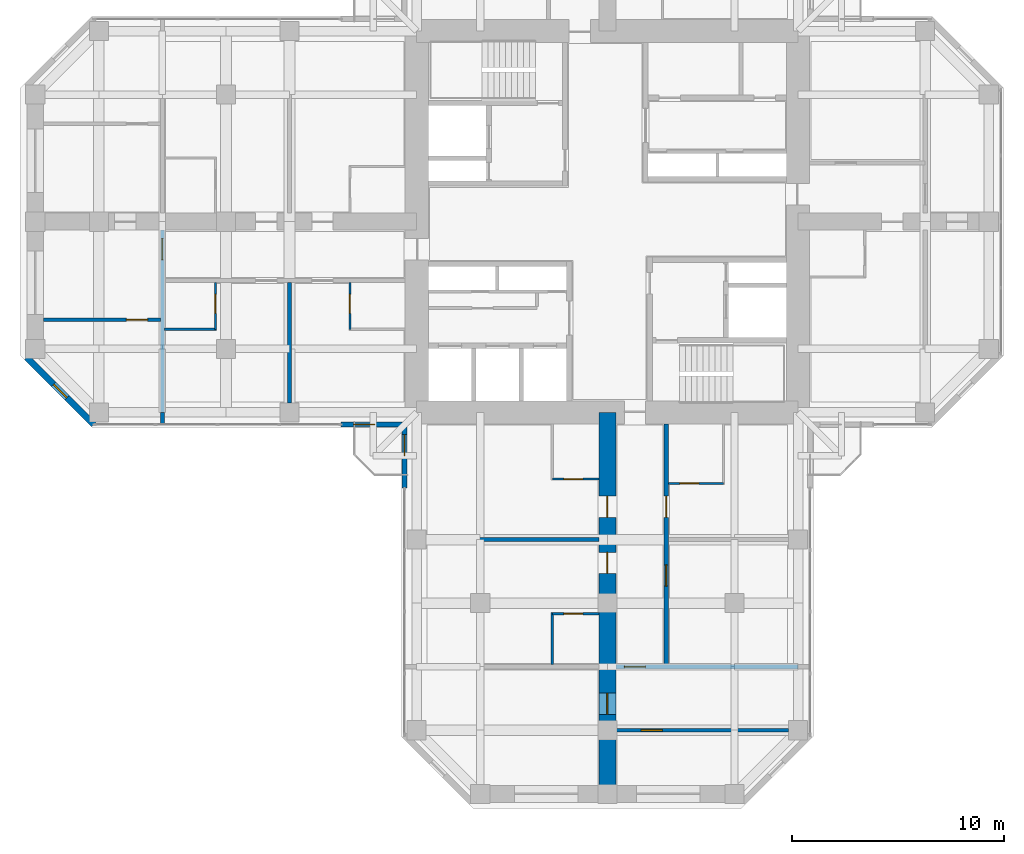
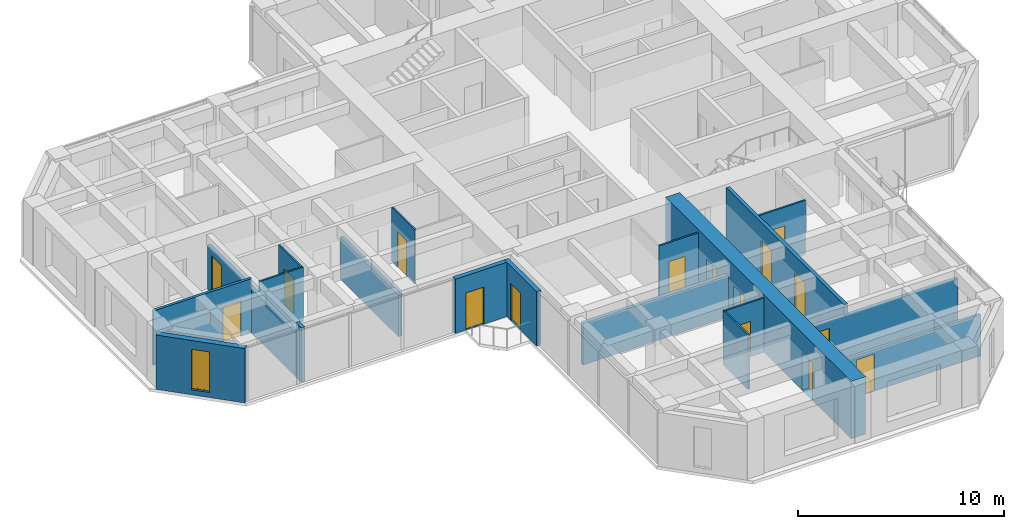
# One storey, part 8 of 13: 19 walls, 16 doors, 1 window, 17 openings.
"""IFC4 building model written with IfcOpenShell, lengths in metres."""

from ifc_helpers import new_model, si_unit, direction, frame, frame_2d, origin, place, context, subcontext, project, spatial, rectangle, hollow_rectangle, extrude, material, layer, layer_set, constituent, constituent_set, type_object, element, fill, save


model = new_model("IFC4")

# Units and contexts
model_context = context("Model", 3, precision=1e-05, world=origin(), true_north=direction((0.0, 1.0)))
body_context = subcontext(model_context, "Body", "Model", "MODEL_VIEW")
ifc_project = project(units=[si_unit("LENGTHUNIT", "METRE"), si_unit("AREAUNIT", "SQUARE_METRE"), si_unit("VOLUMEUNIT", "CUBIC_METRE"), si_unit("PLANEANGLEUNIT", "RADIAN"), si_unit("MASSUNIT", "GRAM", prefix="KILO")], contexts=[model_context])

# Site, building, storey
site_placement = place(None, origin())
site = spatial("IfcSite", under=ifc_project, at=site_placement, CompositionType="ELEMENT")
building_placement = place(site_placement, origin())
building = spatial("IfcBuilding", under=site, at=building_placement, Name="Torre Cruceta", CompositionType="ELEMENT")
storey_placement = place(building_placement, frame((0.0, 0.0, 189.89990234375)))
storey = spatial("IfcBuildingStorey", under=building, at=storey_placement, Name="L47", CompositionType="ELEMENT", Elevation=189.89990234375)

# Wall, opening, door
ifc_material_1 = material(Name="Water-resistant plasterboard on steel studs", Category="steel")
ifc_layer_1 = layer(ifc_material_1, 0.10009765625)
ifc_layer_set_1 = layer_set([ifc_layer_1], Name="Water-resistant plasterboard on steel studs")
wall_type_1 = type_object("IfcWallType", Name="BATHROOM WALL 100", PredefinedType="PARTITIONING", material=ifc_layer_set_1)
wall_1_placement = place(storey_placement, frame((2.875, -12.35009765625, 0.0), z_axis=(0.0, 0.0, 1.0), x_axis=(1.0, 0.0, 0.0)))
wall_1 = element("IfcWall", 1, at=wall_1_placement, inside=storey, type_object=wall_type_1, Name="PT4 L47-S-U1LBS", PredefinedType="PARTITIONING", context=body_context, shape_type="SweptSolid", body=[
    extrude(rectangle(XDim=2.60009765625, YDim=0.10009765625, at=frame_2d((1.300048828125, 0.0))), origin(), (0.0, 0.0, 1.0), 3.22021484375),
])
opening_1_placement = place(wall_1_placement, frame((0.550048828125, 0.0, 0.0)))
opening_1 = element("IfcOpeningElement", 2, at=opening_1_placement, cuts=wall_1, Name="Opening D7", PredefinedType="OPENING", context=body_context, shape_type="SweptSolid", body=[
    extrude(rectangle(XDim=0.89990234375, YDim=2.10009765625, at=frame_2d((0.449951171875, 1.050048828125))), frame((0.0, 0.06005859375, 0.0), z_axis=(0.0, -1.0, 0.0), x_axis=(1.0, 0.0, 0.0)), (0.0, 0.0, 1.0), 0.1201171875),
])
ifc_material_2 = material(Name="Timber door", Category="wood")
door_type_1 = type_object("IfcDoorType", Name="BATHROOM DOOR 900X2100", OperationType="SINGLE_SWING_LEFT", PredefinedType="DOOR", material=ifc_material_2)
door_1_placement = place(opening_1_placement, origin())
door_1 = element("IfcDoor", 3, at=door_1_placement, inside=storey, type_object=door_type_1, Name="D7 L47-S-U1LBS-D1", OperationType="SINGLE_SWING_LEFT", OverallHeight=2.10009765625, OverallWidth=0.89990234375, PredefinedType="DOOR", context=body_context, shape_type="SweptSolid", body=[
    extrude(rectangle(XDim=0.89990234375, YDim=2.10009765625, at=frame_2d((0.449951171875, 1.050048828125))), frame((0.0, 0.02490234375, 0.0), z_axis=(0.0, -1.0, 0.0), x_axis=(1.0, 0.0, 0.0)), (0.0, 0.0, 1.0), 0.050048828125),
])
fill(opening_1, door_1)

wall_2_placement = place(storey_placement, frame((-2.60009765625, -12.14990234375, 0.0), z_axis=(0.0, 0.0, 1.0), x_axis=(1.0, 0.0, 0.0)))
wall_2 = element("IfcWall", 4, at=wall_2_placement, inside=storey, type_object=wall_type_1, Name="PT4 L47-S-U1RBS", PredefinedType="PARTITIONING", context=body_context, shape_type="SweptSolid", body=[
    extrude(rectangle(XDim=2.2001953125, YDim=0.10009765625, at=frame_2d((1.10009765625, 0.0))), origin(), (0.0, 0.0, 1.0), 3.22021484375),
])
opening_2_placement = place(wall_2_placement, frame((0.550048828125, 0.0, 0.0)))
opening_2 = element("IfcOpeningElement", 5, at=opening_2_placement, cuts=wall_2, Name="Opening D7", PredefinedType="OPENING", context=body_context, shape_type="SweptSolid", body=[
    extrude(rectangle(XDim=0.89990234375, YDim=2.10009765625, at=frame_2d((0.449951171875, 1.050048828125))), frame((0.0, 0.06005859375, 0.0), z_axis=(0.0, -1.0, 0.0), x_axis=(1.0, 0.0, 0.0)), (0.0, 0.0, 1.0), 0.1201171875),
])
door_2_placement = place(opening_2_placement, origin())
door_2 = element("IfcDoor", 6, at=door_2_placement, inside=storey, type_object=door_type_1, Name="D7 L47-S-U1RBS-D1", OperationType="SINGLE_SWING_LEFT", OverallHeight=2.10009765625, OverallWidth=0.89990234375, PredefinedType="DOOR", context=body_context, shape_type="SweptSolid", body=[
    extrude(rectangle(XDim=0.89990234375, YDim=2.10009765625, at=frame_2d((0.449951171875, 1.050048828125))), frame((0.0, 0.02490234375, 0.0), z_axis=(0.0, -1.0, 0.0), x_axis=(1.0, 0.0, 0.0)), (0.0, 0.0, 1.0), 0.050048828125),
])
fill(opening_2, door_2)

# Wall
wall_3_placement = place(storey_placement, frame((-2.60009765625, -18.449951171875, 0.0), z_axis=(0.0, 0.0, 1.0), x_axis=(0.0, -1.0, 0.0)))
element("IfcWall", 7, at=wall_3_placement, inside=storey, type_object=wall_type_1, Name="PT4 L47-S-U2RBB", PredefinedType="PARTITIONING", context=body_context, shape_type="SweptSolid", body=[
    extrude(rectangle(XDim=2.449951171875, YDim=0.10009765625, at=frame_2d((1.22509765625, 0.0))), origin(), (0.0, 0.0, 1.0), 3.22021484375),
])

# Wall, opening, door
wall_4_placement = place(storey_placement, frame((-2.60009765625, -18.5, 0.0), z_axis=(0.0, 0.0, 1.0), x_axis=(1.0, 0.0, 0.0)))
wall_4 = element("IfcWall", 8, at=wall_4_placement, inside=storey, type_object=wall_type_1, Name="PT4 L47-S-U2RBS", PredefinedType="PARTITIONING", context=body_context, shape_type="SweptSolid", body=[
    extrude(rectangle(XDim=2.2001953125, YDim=0.10009765625, at=frame_2d((1.10009765625, 0.0))), origin(), (0.0, 0.0, 1.0), 3.22021484375),
])
opening_3_placement = place(wall_4_placement, frame((0.550048828125, 0.0, 0.0)))
opening_3 = element("IfcOpeningElement", 9, at=opening_3_placement, cuts=wall_4, Name="Opening D7", PredefinedType="OPENING", context=body_context, shape_type="SweptSolid", body=[
    extrude(rectangle(XDim=0.89990234375, YDim=2.10009765625, at=frame_2d((0.449951171875, 1.050048828125))), frame((0.0, 0.06005859375, 0.0), z_axis=(0.0, -1.0, 0.0), x_axis=(1.0, 0.0, 0.0)), (0.0, 0.0, 1.0), 0.1201171875),
])
door_3_placement = place(opening_3_placement, frame((0.89990234375, 0.0, 0.0), z_axis=(0.0, 0.0, 1.0), x_axis=(-1.0, 0.0, 0.0)))
door_3 = element("IfcDoor", 10, at=door_3_placement, inside=storey, type_object=door_type_1, Name="D7 L47-S-U2RBS-D1", OperationType="SINGLE_SWING_RIGHT", OverallHeight=2.10009765625, OverallWidth=0.89990234375, PredefinedType="DOOR", context=body_context, shape_type="SweptSolid", body=[
    extrude(rectangle(XDim=0.89990234375, YDim=2.10009765625, at=frame_2d((0.449951171875, 1.050048828125))), frame((0.0, 0.025146484375, 0.0), z_axis=(0.0, -1.0, 0.0), x_axis=(1.0, 0.0, 0.0)), (0.0, 0.0, 1.0), 0.050048828125),
])
fill(opening_3, door_3)

wall_5_placement = place(storey_placement, frame((-12.14990234375, -2.875, 0.0), z_axis=(0.0, 0.0, 1.0), x_axis=(0.0, -1.0, 0.0)))
wall_5 = element("IfcWall", 11, at=wall_5_placement, inside=storey, type_object=wall_type_1, Name="PT4 L47-W-U1LBS", PredefinedType="PARTITIONING", context=body_context, shape_type="SweptSolid", body=[
    extrude(rectangle(XDim=2.199951171875, YDim=0.10009765625, at=frame_2d((1.10009765625, 0.0))), origin(), (0.0, 0.0, 1.0), 3.22021484375),
])
opening_4_placement = place(wall_5_placement, frame((0.550048828125, 0.0, 0.0)))
opening_4 = element("IfcOpeningElement", 12, at=opening_4_placement, cuts=wall_5, Name="Opening D7", PredefinedType="OPENING", context=body_context, shape_type="SweptSolid", body=[
    extrude(rectangle(XDim=0.89990234375, YDim=2.10009765625, at=frame_2d((0.449951171875, 1.050048828125))), frame((0.0, 0.06005859375, 0.0), z_axis=(0.0, -1.0, 0.0), x_axis=(1.0, 0.0, 0.0)), (0.0, 0.0, 1.0), 0.1201171875),
])
door_4_placement = place(opening_4_placement, origin())
door_4 = element("IfcDoor", 13, at=door_4_placement, inside=storey, type_object=door_type_1, Name="D7 L47-W-U1LBS-D1", OperationType="SINGLE_SWING_LEFT", OverallHeight=2.10009765625, OverallWidth=0.89990234375, PredefinedType="DOOR", context=body_context, shape_type="SweptSolid", body=[
    extrude(rectangle(XDim=0.89990234375, YDim=2.10009765625, at=frame_2d((0.449951171875, 1.050048828125))), frame((0.0, 0.02490234375, 0.0), z_axis=(0.0, -1.0, 0.0), x_axis=(1.0, 0.0, 0.0)), (0.0, 0.0, 1.0), 0.050048828125),
])
fill(opening_4, door_4)

# Wall
wall_6_placement = place(storey_placement, frame((-18.449951171875, -5.074951171875, 0.0), z_axis=(0.0, 0.0, 1.0), x_axis=(-1.0, 0.0, 0.0)))
element("IfcWall", 14, at=wall_6_placement, inside=storey, type_object=wall_type_1, Name="PT4 L47-W-U2LBB", PredefinedType="PARTITIONING", context=body_context, shape_type="SweptSolid", body=[
    extrude(rectangle(XDim=2.449951171875, YDim=0.10009765625, at=frame_2d((1.22509765625, 0.0))), origin(), (0.0, 0.0, 1.0), 3.22021484375),
])

# Wall, opening, door
wall_7_placement = place(storey_placement, frame((-18.5, -2.875, 0.0), z_axis=(0.0, 0.0, 1.0), x_axis=(0.0, -1.0, 0.0)))
wall_7 = element("IfcWall", 15, at=wall_7_placement, inside=storey, type_object=wall_type_1, Name="PT4 L47-W-U2LBS", PredefinedType="PARTITIONING", context=body_context, shape_type="SweptSolid", body=[
    extrude(rectangle(XDim=2.199951171875, YDim=0.10009765625, at=frame_2d((1.10009765625, 0.0))), origin(), (0.0, 0.0, 1.0), 3.22021484375),
])
opening_5_placement = place(wall_7_placement, frame((0.550048828125, 0.0, 0.0)))
opening_5 = element("IfcOpeningElement", 16, at=opening_5_placement, cuts=wall_7, Name="Opening D7", PredefinedType="OPENING", context=body_context, shape_type="SweptSolid", body=[
    extrude(rectangle(XDim=0.89990234375, YDim=2.10009765625, at=frame_2d((0.449951171875, 1.050048828125))), frame((0.0, 0.06005859375, 0.0), z_axis=(0.0, -1.0, 0.0), x_axis=(1.0, 0.0, 0.0)), (0.0, 0.0, 1.0), 0.1201171875),
])
door_5_placement = place(opening_5_placement, frame((0.89990234375, 0.0, 0.0), z_axis=(0.0, 0.0, 1.0), x_axis=(-1.0, 0.0, 0.0)))
door_5 = element("IfcDoor", 17, at=door_5_placement, inside=storey, type_object=door_type_1, Name="D7 L47-W-U2LBS-D1", OperationType="SINGLE_SWING_RIGHT", OverallHeight=2.10009765625, OverallWidth=0.89990234375, PredefinedType="DOOR", context=body_context, shape_type="SweptSolid", body=[
    extrude(rectangle(XDim=0.89990234375, YDim=2.10009765625, at=frame_2d((0.449951171875, 1.050048828125))), frame((0.0, 0.025146484375, 0.0), z_axis=(0.0, -1.0, 0.0), x_axis=(1.0, 0.0, 0.0)), (0.0, 0.0, 1.0), 0.050048828125),
])
fill(opening_5, door_5)

# Wall, openings, doors
ifc_material_3 = material(Name="Concrete G25 (fck 25 MPa)", Category="concrete")
ifc_layer_2 = layer(ifc_material_3, 0.199951171875)
ifc_layer_set_2 = layer_set([ifc_layer_2], Name="Concrete G25 (fck 25 MPa)")
wall_type_2 = type_object("IfcWallType", Name="CORRIDOR WALL 200", PredefinedType="SOLIDWALL", material=ifc_layer_set_2)
wall_8_placement = place(storey_placement, frame((2.77490234375, -9.550048828125, 0.0), z_axis=(0.0, 0.0, 1.0), x_axis=(0.0, -1.0, 0.0)))
wall_8 = element("IfcWall", 18, at=wall_8_placement, inside=storey, type_object=wall_type_2, Name="PT3 L47-S-CL", PredefinedType="SOLIDWALL", context=body_context, shape_type="SweptSolid", body=[
    extrude(rectangle(XDim=11.449951171875, YDim=0.199951171875, at=frame_2d((5.72509765625, 0.0))), origin(), (0.0, 0.0, 1.0), 3.22021484375),
])
opening_6_placement = place(wall_8_placement, frame((3.39990234375, 0.0, 0.0)))
opening_6 = element("IfcOpeningElement", 19, at=opening_6_placement, cuts=wall_8, Name="Opening D6", PredefinedType="OPENING", context=body_context, shape_type="SweptSolid", body=[
    extrude(rectangle(XDim=1.0, YDim=2.14990234375, at=frame_2d((0.5, 1.074951171875))), frame((0.0, 0.10986328125, 0.0), z_axis=(0.0, -1.0, 0.0), x_axis=(1.0, 0.0, 0.0)), (0.0, 0.0, 1.0), 0.219970703125),
])
opening_7_placement = place(wall_8_placement, frame((6.64990234375, 0.0, 0.0)))
opening_7 = element("IfcOpeningElement", 20, at=opening_7_placement, cuts=wall_8, Name="Opening D14", PredefinedType="OPENING", context=body_context, shape_type="SweptSolid", body=[
    extrude(rectangle(XDim=1.0, YDim=2.199951171875, at=frame_2d((0.5, 1.10009765625))), frame((0.0, 0.10986328125, 0.0), z_axis=(0.0, -1.0, 0.0), x_axis=(1.0, 0.0, 0.0)), (0.0, 0.0, 1.0), 0.219970703125),
])
ifc_material_4 = material(Name="Steel DX51D", Category="steel")
ifc_constituent_1 = constituent(ifc_material_4, Name="Leaf and frame")
ifc_material_5 = material(Name="Polyester powder coating", Category="paint")
ifc_constituent_2 = constituent(ifc_material_5, Name="Finish")
ifc_material_6 = material(Name="Fire-resisting glass", Category="glass")
ifc_constituent_3 = constituent(ifc_material_6, Name="Vision panel")
ifc_constituent_set_1 = constituent_set(constituents=[ifc_constituent_1, ifc_constituent_2, ifc_constituent_3], Name="Steel fire door with vision panel")
door_type_2 = type_object("IfcDoorType", Name="FIRE DOOR VISION PANEL 1000X2200", OperationType="SINGLE_SWING_RIGHT", PredefinedType="DOOR", material=ifc_constituent_set_1)
door_6_placement = place(opening_7_placement, origin())
door_6 = element("IfcDoor", 21, at=door_6_placement, inside=storey, type_object=door_type_2, Name="D14 L47-S-CL-D2", OperationType="SINGLE_SWING_LEFT", OverallHeight=2.199951171875, OverallWidth=1.0, PredefinedType="DOOR", context=body_context, shape_type="SweptSolid", body=[
    extrude(rectangle(XDim=1.0, YDim=2.199951171875, at=frame_2d((0.5, 1.10009765625))), frame((0.0, 0.02490234375, 0.0), z_axis=(0.0, -1.0, 0.0), x_axis=(1.0, 0.0, 0.0)), (0.0, 0.0, 1.0), 0.050048828125),
])
fill(opening_7, door_6)
ifc_material_7 = material(Name="Timber fire door", Category="wood")
door_type_3 = type_object("IfcDoorType", Name="UNIT ENTRANCE DOOR 1000X2150", OperationType="SINGLE_SWING_LEFT", PredefinedType="DOOR", material=ifc_material_7)
door_7_placement = place(opening_6_placement, origin())
door_7 = element("IfcDoor", 22, at=door_7_placement, inside=storey, type_object=door_type_3, Name="D6 L47-S-CL-D1", OperationType="SINGLE_SWING_LEFT", OverallHeight=2.14990234375, OverallWidth=1.0, PredefinedType="DOOR", context=body_context, shape_type="SweptSolid", body=[
    extrude(rectangle(XDim=1.0, YDim=2.14990234375, at=frame_2d((0.5, 1.074951171875))), frame((0.0, 0.02490234375, 0.0), z_axis=(0.0, -1.0, 0.0), x_axis=(1.0, 0.0, 0.0)), (0.0, 0.0, 1.0), 0.050048828125),
])
fill(opening_6, door_7)

# Wall, opening, window
ifc_material_8 = material(Name="Concrete G30 (fck 30 MPa)", Category="concrete")
ifc_layer_3 = layer(ifc_material_8, 0.300048828125)
ifc_layer_set_3 = layer_set([ifc_layer_3], Name="Concrete G30 (fck 30 MPa)")
wall_type_3 = type_object("IfcWallType", Name="EXPOSED CONCRETE FACADE WALL 300", PredefinedType="SOLIDWALL", material=ifc_layer_set_3)
wall_9_placement = place(storey_placement, frame((-27.39990234375, -6.406005859375, 0.0), z_axis=(0.0, 0.0, 1.0), x_axis=(0.707079499254, -0.707134062067, 0.0)))
wall_9 = element("IfcWall", 23, at=wall_9_placement, inside=storey, type_object=wall_type_3, Name="EW1 facade wall L47 W chamfer 13", PredefinedType="SOLIDWALL", context=body_context, shape_type="SweptSolid", body=[
    extrude(rectangle(XDim=4.474609375, YDim=0.300048828125, at=frame_2d((2.2373046875, 0.0))), origin(), (0.0, 0.0, 1.0), 3.22021484375),
])
opening_8_placement = place(wall_9_placement, frame((1.787109375, 0.0, 0.300048828125)))
opening_8 = element("IfcOpeningElement", 24, at=opening_8_placement, cuts=wall_9, Name="Opening WN5", PredefinedType="OPENING", context=body_context, shape_type="SweptSolid", body=[
    extrude(rectangle(XDim=0.89990234375, YDim=2.39990234375, at=frame_2d((0.449951171875, 1.199951171875))), frame((0.0, 0.159912109375, 0.0), z_axis=(0.0, -1.0, 0.0), x_axis=(1.0, 0.0, 0.0)), (0.0, 0.0, 1.0), 0.320068359375),
])
ifc_material_9 = material(Name="Aluminium window frame", Category="aluminium")
ifc_constituent_4 = constituent(ifc_material_9, Name="Frame")
ifc_material_10 = material(Name="Laminated insulating glass unit, low-iron clear", Category="glass")
ifc_constituent_5 = constituent(ifc_material_10, Name="Glazing")
ifc_constituent_set_2 = constituent_set(constituents=[ifc_constituent_4, ifc_constituent_5], Name="Aluminium window")
window_type = type_object("IfcWindowType", Name="CHAMFER SLOT WINDOW 900X2400", PartitioningType="SINGLE_PANEL", PredefinedType="WINDOW", material=ifc_constituent_set_2)
window_placement = place(opening_8_placement, origin())
window = element("IfcWindow", 25, at=window_placement, inside=storey, type_object=window_type, Name="WN5 L47 W 1", OverallHeight=2.39990234375, OverallWidth=0.89990234375, PartitioningType="SINGLE_PANEL", PredefinedType="WINDOW", context=body_context, shape_type="SweptSolid", body=[
    extrude(hollow_rectangle(XDim=0.89990234375, YDim=2.39990234375, WallThickness=0.06005859375, at=frame_2d((0.449951171875, 1.199951171875))), frame((0.0, 0.030029296875, 0.0), z_axis=(0.0, -1.0, 0.0), x_axis=(1.0, 0.0, 0.0)), (0.0, 0.0, 1.0), 0.06005859375),
    extrude(rectangle(XDim=0.77880859375, YDim=2.27880859375, at=frame_2d((0.449951171875, 1.199951171875))), frame((0.0, 0.030029296875, 0.0), z_axis=(0.0, -1.0, 0.0), x_axis=(1.0, 0.0, 0.0)), (0.0, 0.0, 1.0), 0.06005859375),
])
fill(opening_8, window)

# Wall, opening, door
ifc_material_11 = material(Name="Plasterboard on steel studs", Category="steel")
ifc_layer_4 = layer(ifc_material_11, 0.14990234375)
ifc_layer_set_4 = layer_set([ifc_layer_4], Name="Plasterboard on steel studs")
wall_type_4 = type_object("IfcWallType", Name="PARTITION 150", PredefinedType="PARTITIONING", material=ifc_layer_set_4)
wall_10_placement = place(storey_placement, frame((0.39990234375, -24.0, 0.0), z_axis=(0.0, 0.0, 1.0), x_axis=(1.0, 0.0, 0.0)))
wall_10 = element("IfcWall", 26, at=wall_10_placement, inside=storey, type_object=wall_type_4, Name="PT1 L47-S-ENDX", PredefinedType="PARTITIONING", context=body_context, shape_type="SweptSolid", body=[
    extrude(rectangle(XDim=8.150146484375, YDim=0.14990234375, at=frame_2d((4.0751953125, 0.0))), origin(), (0.0, 0.0, 1.0), 2.47021484375),
])
opening_9_placement = place(wall_10_placement, frame((1.199951171875, 0.0, 0.0)))
opening_9 = element("IfcOpeningElement", 27, at=opening_9_placement, cuts=wall_10, Name="Opening D14", PredefinedType="OPENING", context=body_context, shape_type="SweptSolid", body=[
    extrude(rectangle(XDim=1.0, YDim=2.199951171875, at=frame_2d((0.5, 1.10009765625))), frame((0.0, 0.0849609375, 0.0), z_axis=(0.0, -1.0, 0.0), x_axis=(1.0, 0.0, 0.0)), (0.0, 0.0, 1.0), 0.169921875),
])
door_8_placement = place(opening_9_placement, frame((1.0, 0.0, 0.0), z_axis=(0.0, 0.0, 1.0), x_axis=(-1.0, 0.0, 0.0)))
door_8 = element("IfcDoor", 28, at=door_8_placement, inside=storey, type_object=door_type_2, Name="D14 L47-S-ENDX-D1", OperationType="SINGLE_SWING_RIGHT", OverallHeight=2.199951171875, OverallWidth=1.0, PredefinedType="DOOR", context=body_context, shape_type="SweptSolid", body=[
    extrude(rectangle(XDim=1.0, YDim=2.199951171875, at=frame_2d((0.5, 1.10009765625))), frame((0.0, 0.025146484375, 0.0), z_axis=(0.0, -1.0, 0.0), x_axis=(1.0, 0.0, 0.0)), (0.0, 0.0, 1.0), 0.050048828125),
])
fill(opening_9, door_8)

wall_11_placement = place(storey_placement, frame((-21.10009765625, -4.625, 0.0), z_axis=(0.0, 0.0, 1.0), x_axis=(-1.0, 0.0, 0.0)))
wall_11 = element("IfcWall", 29, at=wall_11_placement, inside=storey, type_object=wall_type_4, Name="PT1 L47-W-ENDX", PredefinedType="PARTITIONING", context=body_context, shape_type="SweptSolid", body=[
    extrude(rectangle(XDim=5.5, YDim=0.14990234375, at=frame_2d((2.75, 0.0))), origin(), (0.0, 0.0, 1.0), 3.22021484375),
])
opening_10_placement = place(wall_11_placement, frame((0.60009765625, 0.0, 0.0)))
opening_10 = element("IfcOpeningElement", 30, at=opening_10_placement, cuts=wall_11, Name="Opening D3", PredefinedType="OPENING", context=body_context, shape_type="SweptSolid", body=[
    extrude(rectangle(XDim=1.0, YDim=2.10009765625, at=frame_2d((0.5, 1.050048828125))), frame((0.0, 0.0849609375, 0.0), z_axis=(0.0, -1.0, 0.0), x_axis=(1.0, 0.0, 0.0)), (0.0, 0.0, 1.0), 0.169921875),
])
ifc_material_12 = material(Name="Steel DX51D", Category="steel")
ifc_constituent_6 = constituent(ifc_material_12, Name="Leaf and frame")
ifc_material_13 = material(Name="Polyester powder coating", Category="paint")
ifc_constituent_7 = constituent(ifc_material_13, Name="Finish")
ifc_constituent_set_3 = constituent_set(constituents=[ifc_constituent_6, ifc_constituent_7], Name="Steel fire door")
door_type_4 = type_object("IfcDoorType", Name="FIRE DOOR 1000X2100", OperationType="SINGLE_SWING_LEFT", PredefinedType="DOOR", material=ifc_constituent_set_3)
door_9_placement = place(opening_10_placement, origin())
door_9 = element("IfcDoor", 31, at=door_9_placement, inside=storey, type_object=door_type_4, Name="D3 L47-W-ENDX-D1", OperationType="SINGLE_SWING_LEFT", OverallHeight=2.10009765625, OverallWidth=1.0, PredefinedType="DOOR", context=body_context, shape_type="SweptSolid", body=[
    extrude(rectangle(XDim=1.0, YDim=2.10009765625, at=frame_2d((0.5, 1.050048828125))), frame((0.0, 0.02490234375, 0.0), z_axis=(0.0, -1.0, 0.0), x_axis=(1.0, 0.0, 0.0)), (0.0, 0.0, 1.0), 0.050048828125),
])
fill(opening_10, door_9)

# Wall, openings, doors
ifc_material_14 = material(Name="Concrete G60 (fck 60 MPa)", Category="concrete")
ifc_layer_5 = layer(ifc_material_14, 0.800048828125)
ifc_layer_set_5 = layer_set([ifc_layer_5], Name="Concrete G60 (fck 60 MPa)")
wall_type_5 = type_object("IfcWallType", Name="SPINE WALL 800 G60", PredefinedType="SHEAR", material=ifc_layer_set_5)
wall_12_placement = place(storey_placement, frame((0.0, -9.0, 0.0), z_axis=(0.0, 0.0, 1.0), x_axis=(0.0, -1.0, 0.0)))
wall_12 = element("IfcWall", 32, at=wall_12_placement, inside=storey, type_object=wall_type_5, Name="SW4 spine wall L47 S", PredefinedType="SHEAR", context=body_context, shape_type="SweptSolid", body=[
    extrude(rectangle(XDim=18.0, YDim=0.800048828125, at=frame_2d((9.0, 0.0))), origin(), (0.0, 0.0, 1.0), 3.400146484375),
])
opening_11_placement = place(wall_12_placement, frame((3.949951171875, 0.0, 0.0)))
opening_11 = element("IfcOpeningElement", 33, at=opening_11_placement, cuts=wall_12, Name="Opening D6", PredefinedType="OPENING", context=body_context, shape_type="SweptSolid", body=[
    extrude(rectangle(XDim=1.0, YDim=2.14990234375, at=frame_2d((0.5, 1.074951171875))), frame((0.0, 0.409912109375, 0.0), z_axis=(0.0, -1.0, 0.0), x_axis=(1.0, 0.0, 0.0)), (0.0, 0.0, 1.0), 0.820068359375),
])
opening_12_placement = place(wall_12_placement, frame((6.60009765625, 0.0, 0.0)))
opening_12 = element("IfcOpeningElement", 34, at=opening_12_placement, cuts=wall_12, Name="Opening D6", PredefinedType="OPENING", context=body_context, shape_type="SweptSolid", body=[
    extrude(rectangle(XDim=1.0, YDim=2.14990234375, at=frame_2d((0.5, 1.074951171875))), frame((0.0, 0.409912109375, 0.0), z_axis=(0.0, -1.0, 0.0), x_axis=(1.0, 0.0, 0.0)), (0.0, 0.0, 1.0), 0.820068359375),
])
opening_13_placement = place(wall_12_placement, frame((13.25, 0.0, 0.0)))
opening_13 = element("IfcOpeningElement", 35, at=opening_13_placement, cuts=wall_12, Name="Opening D14", PredefinedType="OPENING", context=body_context, shape_type="SweptSolid", body=[
    extrude(rectangle(XDim=1.0, YDim=2.199951171875, at=frame_2d((0.5, 1.10009765625))), frame((0.0, 0.409912109375, 0.0), z_axis=(0.0, -1.0, 0.0), x_axis=(1.0, 0.0, 0.0)), (0.0, 0.0, 1.0), 0.820068359375),
])
door_10_placement = place(opening_13_placement, origin())
door_10 = element("IfcDoor", 36, at=door_10_placement, inside=storey, type_object=door_type_2, Name="D14 L47-S-SP3", OperationType="SINGLE_SWING_RIGHT", OverallHeight=2.199951171875, OverallWidth=1.0, PredefinedType="DOOR", context=body_context, shape_type="SweptSolid", body=[
    extrude(rectangle(XDim=1.0, YDim=2.199951171875, at=frame_2d((0.5, 1.10009765625))), frame((0.0, 0.02490234375, 0.0), z_axis=(0.0, -1.0, 0.0), x_axis=(1.0, 0.0, 0.0)), (0.0, 0.0, 1.0), 0.050048828125),
])
fill(opening_13, door_10)
door_11_placement = place(opening_11_placement, frame((1.0, 0.0, 0.0), z_axis=(0.0, 0.0, 1.0), x_axis=(-1.0, 0.0, 0.0)))
door_11 = element("IfcDoor", 37, at=door_11_placement, inside=storey, type_object=door_type_3, Name="D6 L47-S-SP1", OperationType="SINGLE_SWING_RIGHT", OverallHeight=2.14990234375, OverallWidth=1.0, PredefinedType="DOOR", context=body_context, shape_type="SweptSolid", body=[
    extrude(rectangle(XDim=1.0, YDim=2.14990234375, at=frame_2d((0.5, 1.074951171875))), frame((0.0, 0.025146484375, 0.0), z_axis=(0.0, -1.0, 0.0), x_axis=(1.0, 0.0, 0.0)), (0.0, 0.0, 1.0), 0.050048828125),
])
fill(opening_11, door_11)
door_12_placement = place(opening_12_placement, frame((1.0, 0.0, 0.0), z_axis=(0.0, 0.0, 1.0), x_axis=(-1.0, 0.0, 0.0)))
door_12 = element("IfcDoor", 38, at=door_12_placement, inside=storey, type_object=door_type_3, Name="D6 L47-S-SP2", OperationType="SINGLE_SWING_RIGHT", OverallHeight=2.14990234375, OverallWidth=1.0, PredefinedType="DOOR", context=body_context, shape_type="SweptSolid", body=[
    extrude(rectangle(XDim=1.0, YDim=2.14990234375, at=frame_2d((0.5, 1.074951171875))), frame((0.0, 0.025146484375, 0.0), z_axis=(0.0, -1.0, 0.0), x_axis=(1.0, 0.0, 0.0)), (0.0, 0.0, 1.0), 0.050048828125),
])
fill(opening_12, door_12)

# Wall
ifc_material_15 = material(Name="Concrete G25 (fck 25 MPa)", Category="concrete")
ifc_layer_6 = layer(ifc_material_15, 0.199951171875)
ifc_layer_set_6 = layer_set([ifc_layer_6], Name="Concrete G25 (fck 25 MPa)")
wall_type_6 = type_object("IfcWallType", Name="UNIT SEPARATING WALL 200", PredefinedType="SOLIDWALL", material=ifc_layer_set_6)
wall_13_placement = place(storey_placement, frame((-8.550048828125, -15.0, 0.0), z_axis=(0.0, 0.0, 1.0), x_axis=(1.0, 0.0, 0.0)))
element("IfcWall", 39, at=wall_13_placement, inside=storey, type_object=wall_type_6, Name="PT2 L47-S-P1R", PredefinedType="SOLIDWALL", context=body_context, shape_type="SweptSolid", body=[
    extrude(rectangle(XDim=8.150146484375, YDim=0.199951171875, at=frame_2d((4.0751953125, 0.0))), origin(), (0.0, 0.0, 1.0), 2.47021484375),
])

# Wall, opening, door
wall_14_placement = place(storey_placement, frame((0.39990234375, -21.0, 0.0), z_axis=(0.0, 0.0, 1.0), x_axis=(1.0, 0.0, 0.0)))
wall_14 = element("IfcWall", 40, at=wall_14_placement, inside=storey, type_object=wall_type_6, Name="PT2 L47-S-ENDb", PredefinedType="SOLIDWALL", context=body_context, shape_type="SweptSolid", body=[
    extrude(rectangle(XDim=8.60009765625, YDim=0.199951171875, at=frame_2d((4.300048828125, 0.0))), origin(), (0.0, 0.0, 1.0), 2.6201171875),
])
opening_14_placement = place(wall_14_placement, frame((0.39990234375, 0.0, 0.0)))
opening_14 = element("IfcOpeningElement", 41, at=opening_14_placement, cuts=wall_14, Name="Opening D14", PredefinedType="OPENING", context=body_context, shape_type="SweptSolid", body=[
    extrude(rectangle(XDim=1.0, YDim=2.199951171875, at=frame_2d((0.5, 1.10009765625))), frame((0.0, 0.10986328125, 0.0), z_axis=(0.0, -1.0, 0.0), x_axis=(1.0, 0.0, 0.0)), (0.0, 0.0, 1.0), 0.219970703125),
])
door_13_placement = place(opening_14_placement, frame((1.0, 0.0, 0.0), z_axis=(0.0, 0.0, 1.0), x_axis=(-1.0, 0.0, 0.0)))
door_13 = element("IfcDoor", 42, at=door_13_placement, inside=storey, type_object=door_type_2, Name="D14 L47-S-ENDb-D1", OperationType="SINGLE_SWING_RIGHT", OverallHeight=2.199951171875, OverallWidth=1.0, PredefinedType="DOOR", context=body_context, shape_type="SweptSolid", body=[
    extrude(rectangle(XDim=1.0, YDim=2.199951171875, at=frame_2d((0.5, 1.10009765625))), frame((0.0, 0.025146484375, 0.0), z_axis=(0.0, -1.0, 0.0), x_axis=(1.0, 0.0, 0.0)), (0.0, 0.0, 1.0), 0.050048828125),
])
fill(opening_14, door_13)

# Wall
wall_15_placement = place(storey_placement, frame((-15.0, -2.875, 0.0), z_axis=(0.0, 0.0, 1.0), x_axis=(0.0, -1.0, 0.0)))
element("IfcWall", 43, at=wall_15_placement, inside=storey, type_object=wall_type_6, Name="PT2 L47-W-P1L", PredefinedType="SOLIDWALL", context=body_context, shape_type="SweptSolid", body=[
    extrude(rectangle(XDim=5.675048828125, YDim=0.199951171875, at=frame_2d((2.83740234375, 0.0))), origin(), (0.0, 0.0, 1.0), 2.47021484375),
])

# Wall, opening, door
wall_16_placement = place(storey_placement, frame((-21.0, -0.39990234375, 0.0), z_axis=(0.0, 0.0, 1.0), x_axis=(0.0, -1.0, 0.0)))
wall_16 = element("IfcWall", 44, at=wall_16_placement, inside=storey, type_object=wall_type_6, Name="PT2 L47-W-ENDb", PredefinedType="SOLIDWALL", context=body_context, shape_type="SweptSolid", body=[
    extrude(rectangle(XDim=8.60009765625, YDim=0.199951171875, at=frame_2d((4.300048828125, 0.0))), origin(), (0.0, 0.0, 1.0), 2.6201171875),
])
opening_15_placement = place(wall_16_placement, frame((0.39990234375, 0.0, 0.0)))
opening_15 = element("IfcOpeningElement", 45, at=opening_15_placement, cuts=wall_16, Name="Opening D14", PredefinedType="OPENING", context=body_context, shape_type="SweptSolid", body=[
    extrude(rectangle(XDim=1.0, YDim=2.199951171875, at=frame_2d((0.5, 1.10009765625))), frame((0.0, 0.10986328125, 0.0), z_axis=(0.0, -1.0, 0.0), x_axis=(1.0, 0.0, 0.0)), (0.0, 0.0, 1.0), 0.219970703125),
])
door_14_placement = place(opening_15_placement, frame((1.0, 0.0, 0.0), z_axis=(0.0, 0.0, 1.0), x_axis=(-1.0, 0.0, 0.0)))
door_14 = element("IfcDoor", 46, at=door_14_placement, inside=storey, type_object=door_type_2, Name="D14 L47-W-ENDb-D1", OperationType="SINGLE_SWING_RIGHT", OverallHeight=2.199951171875, OverallWidth=1.0, PredefinedType="DOOR", context=body_context, shape_type="SweptSolid", body=[
    extrude(rectangle(XDim=1.0, YDim=2.199951171875, at=frame_2d((0.5, 1.10009765625))), frame((0.0, 0.025146484375, 0.0), z_axis=(0.0, -1.0, 0.0), x_axis=(1.0, 0.0, 0.0)), (0.0, 0.0, 1.0), 0.050048828125),
])
fill(opening_15, door_14)

# Wall
wall_17_placement = place(storey_placement, frame((-21.0, -9.0, 0.0), z_axis=(0.0, 0.0, 1.0), x_axis=(0.0, -1.0, 0.0)))
element("IfcWall", 47, at=wall_17_placement, inside=storey, type_object=wall_type_6, Name="PT2 L47-W-ENDb 2", PredefinedType="SOLIDWALL", context=body_context, shape_type="SweptSolid", body=[
    extrude(rectangle(XDim=0.530029296875, YDim=0.199951171875, at=frame_2d((0.26513671875, 0.0))), origin(), (0.0, 0.0, 1.0), 3.22021484375),
])

# Wall, opening, door
ifc_material_16 = material(Name="Concrete G30 (fck 30 MPa)", Category="concrete")
ifc_layer_7 = layer(ifc_material_16, 0.25)
ifc_layer_set_7 = layer_set([ifc_layer_7], Name="Concrete G30 (fck 30 MPa)")
wall_type_7 = type_object("IfcWallType", Name="WINTER GARDEN WALL 250", PredefinedType="SOLIDWALL", material=ifc_layer_set_7)
wall_18_placement = place(storey_placement, frame((-12.570068359375, -9.570068359375, 0.0), z_axis=(0.0, 0.0, 1.0), x_axis=(1.0, 0.0, 0.0)))
wall_18 = element("IfcWall", 48, at=wall_18_placement, inside=storey, type_object=wall_type_7, Name="EW2 winter garden wall L47 14", PredefinedType="SOLIDWALL", context=body_context, shape_type="SweptSolid", body=[
    extrude(rectangle(XDim=2.875, YDim=0.25, at=frame_2d((1.4375, 0.0))), origin(), (0.0, 0.0, 1.0), 3.22021484375),
])
opening_16_placement = place(wall_18_placement, frame((0.60009765625, 0.0, 0.0)))
opening_16 = element("IfcOpeningElement", 49, at=opening_16_placement, cuts=wall_18, Name="Opening D10", PredefinedType="OPENING", context=body_context, shape_type="SweptSolid", body=[
    extrude(rectangle(XDim=1.0, YDim=2.199951171875, at=frame_2d((0.5, 1.10009765625))), frame((0.0, 0.135009765625, 0.0), z_axis=(0.0, -1.0, 0.0), x_axis=(1.0, 0.0, 0.0)), (0.0, 0.0, 1.0), 0.27001953125),
])
ifc_material_17 = material(Name="Aluminium door frame", Category="aluminium")
ifc_constituent_8 = constituent(ifc_material_17, Name="Frame")
ifc_material_18 = material(Name="Laminated safety glass", Category="glass")
ifc_constituent_9 = constituent(ifc_material_18, Name="Glazing")
ifc_constituent_set_4 = constituent_set(constituents=[ifc_constituent_8, ifc_constituent_9], Name="Aluminium glazed door")
door_type_5 = type_object("IfcDoorType", Name="BALCONY DOOR 1000X2200", OperationType="SINGLE_SWING_RIGHT", PredefinedType="DOOR", material=ifc_constituent_set_4)
door_15_placement = place(opening_16_placement, origin())
door_15 = element("IfcDoor", 50, at=door_15_placement, inside=storey, type_object=door_type_5, Name="D10 balcony door L47 14", OperationType="SINGLE_SWING_RIGHT", OverallHeight=2.199951171875, OverallWidth=1.0, PredefinedType="DOOR", context=body_context, shape_type="SweptSolid", body=[
    extrude(hollow_rectangle(XDim=1.0, YDim=2.199951171875, WallThickness=0.06005859375, at=frame_2d((0.5, 1.10009765625))), frame((0.0, 0.02490234375, 0.0), z_axis=(0.0, -1.0, 0.0), x_axis=(1.0, 0.0, 0.0)), (0.0, 0.0, 1.0), 0.050048828125),
    extrude(rectangle(XDim=0.87890625, YDim=2.078857421875, at=frame_2d((0.5, 1.10009765625))), frame((0.0, 0.02490234375, 0.0), z_axis=(0.0, -1.0, 0.0), x_axis=(1.0, 0.0, 0.0)), (0.0, 0.0, 1.0), 0.050048828125),
])
fill(opening_16, door_15)

wall_19_placement = place(storey_placement, frame((-9.570068359375, -9.445068359375, 0.0), z_axis=(0.0, 0.0, 1.0), x_axis=(0.0, -1.0, 0.0)))
wall_19 = element("IfcWall", 51, at=wall_19_placement, inside=storey, type_object=wall_type_7, Name="EW2 winter garden wall L47 15", PredefinedType="SOLIDWALL", context=body_context, shape_type="SweptSolid", body=[
    extrude(rectangle(XDim=3.125, YDim=0.25, at=frame_2d((1.5625, 0.0))), origin(), (0.0, 0.0, 1.0), 3.22021484375),
])
opening_17_placement = place(wall_19_placement, frame((0.60009765625, 0.0, 0.0)))
opening_17 = element("IfcOpeningElement", 52, at=opening_17_placement, cuts=wall_19, Name="Opening D10", PredefinedType="OPENING", context=body_context, shape_type="SweptSolid", body=[
    extrude(rectangle(XDim=1.0, YDim=2.199951171875, at=frame_2d((0.5, 1.10009765625))), frame((0.0, 0.135009765625, 0.0), z_axis=(0.0, -1.0, 0.0), x_axis=(1.0, 0.0, 0.0)), (0.0, 0.0, 1.0), 0.27001953125),
])
door_16_placement = place(opening_17_placement, origin())
door_16 = element("IfcDoor", 53, at=door_16_placement, inside=storey, type_object=door_type_5, Name="D10 balcony door L47 15", OperationType="SINGLE_SWING_LEFT", OverallHeight=2.199951171875, OverallWidth=1.0, PredefinedType="DOOR", context=body_context, shape_type="SweptSolid", body=[
    extrude(hollow_rectangle(XDim=1.0, YDim=2.199951171875, WallThickness=0.06005859375, at=frame_2d((0.5, 1.10009765625))), frame((0.0, 0.02490234375, 0.0), z_axis=(0.0, -1.0, 0.0), x_axis=(1.0, 0.0, 0.0)), (0.0, 0.0, 1.0), 0.050048828125),
    extrude(rectangle(XDim=0.87890625, YDim=2.078857421875, at=frame_2d((0.5, 1.10009765625))), frame((0.0, 0.02490234375, 0.0), z_axis=(0.0, -1.0, 0.0), x_axis=(1.0, 0.0, 0.0)), (0.0, 0.0, 1.0), 0.050048828125),
])
fill(opening_17, door_16)

save(model, "model.ifc")
